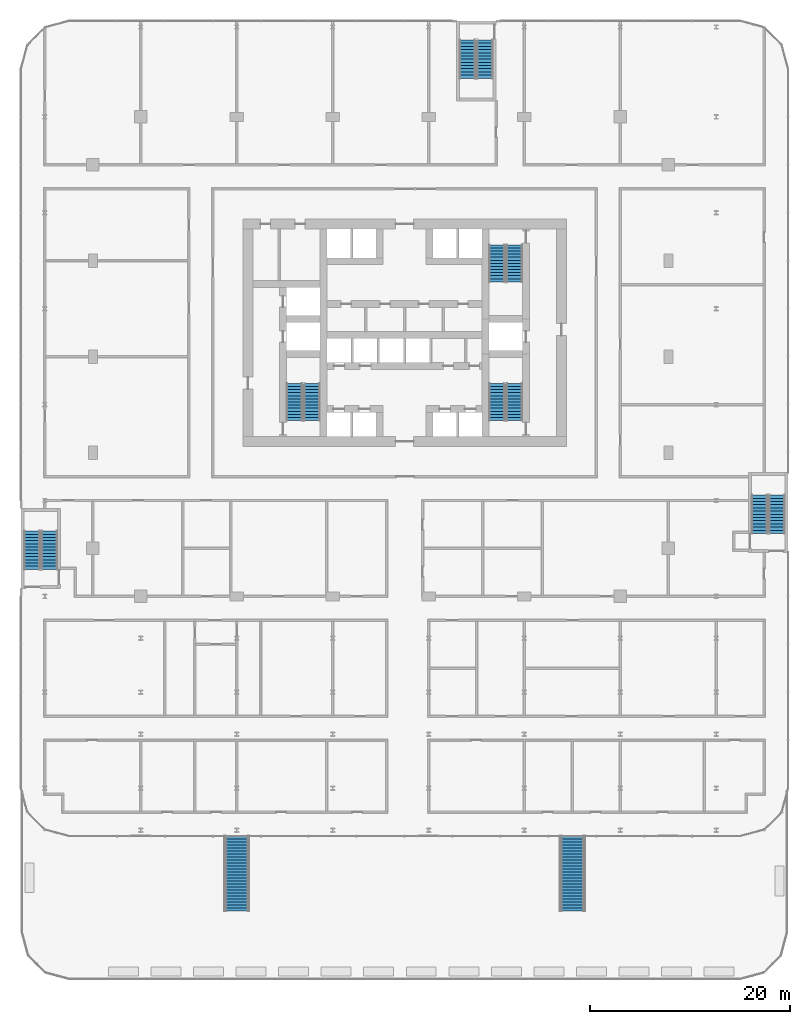
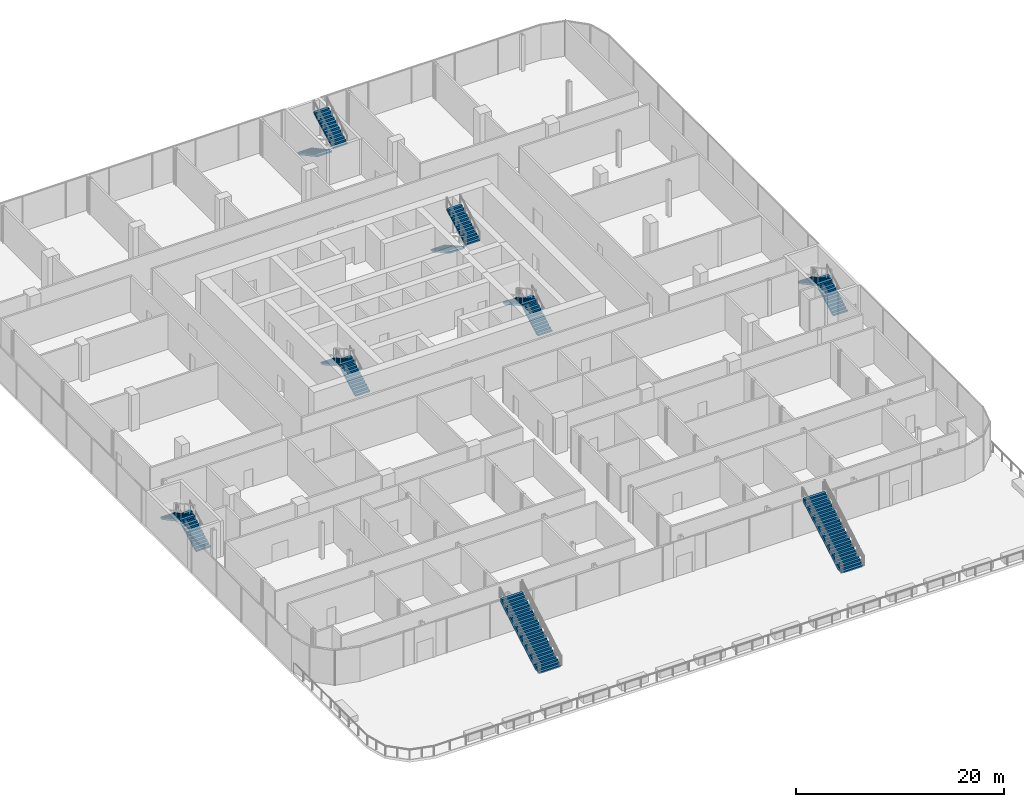
# One storey, part 36 of 43: 14 stair flights, 8 elements without a shape of their own.
"""IFC4 building model written with IfcOpenShell, lengths in metres."""

from ifc_helpers import new_model, si_unit, direction, frame, origin, place, context, subcontext, project, spatial, polyline, outline, extrude, material, type_object, element, aggregate, save


model = new_model("IFC4")

# Units and contexts
model_context = context("Model", 3, precision=1e-05, world=origin(), true_north=direction((0.0, 1.0)))
body_context = subcontext(model_context, "Body", "Model", "MODEL_VIEW")
ifc_project = project(units=[si_unit("LENGTHUNIT", "METRE"), si_unit("AREAUNIT", "SQUARE_METRE"), si_unit("VOLUMEUNIT", "CUBIC_METRE"), si_unit("PLANEANGLEUNIT", "RADIAN"), si_unit("MASSUNIT", "GRAM", prefix="KILO")], contexts=[model_context])

# Site, building, storey
site_placement = place(None, origin())
site = spatial("IfcSite", under=ifc_project, at=site_placement, CompositionType="ELEMENT")
building_placement = place(site_placement, origin())
building = spatial("IfcBuilding", under=site, at=building_placement, Name="Madar Terraces", CompositionType="ELEMENT")
storey_placement = place(building_placement, frame((0.0, 0.0, 10.5)))
storey = spatial("IfcBuildingStorey", under=building, at=storey_placement, Name="L02", CompositionType="ELEMENT", Elevation=10.5)

# Stair, stair flight
ifc_material_1 = material(Name="Concrete C40/50", Category="concrete")
stair_type_1 = type_object("IfcStairType", Name="Cascade stair 2400", PredefinedType="STRAIGHT_RUN_STAIR", material=ifc_material_1)
stair_1_placement = place(storey_placement, origin())
stair_1 = element("IfcStair", 1, at=stair_1_placement, inside=storey, type_object=stair_type_1, Name="Cascade stair L03 1", PredefinedType="STRAIGHT_RUN_STAIR")
ifc_material_2 = material(Name="Concrete C40/50", Category="concrete")
stair_flight_type_1 = type_object("IfcStairFlightType", Name="Stair flight CS1-F2, 2400 wide, 26 risers", PredefinedType="STRAIGHT", material=ifc_material_2)
stair_flight_1_placement = place(storey_placement, frame((14.39990234375, -31.5, 0.0), z_axis=(0.0, 0.0, 1.0), x_axis=(0.0, 1.0, 0.0)))
stair_flight_1 = element("IfcStairFlight", 2, at=stair_flight_1_placement, type_object=stair_flight_type_1, Name="CS1 flight 1", NumberOfRisers=26, NumberOfTreads=25, PredefinedType="STRAIGHT", RiserHeight=0.173076923, TreadLength=0.3, context=body_context, shape_type="SweptSolid", body=[
    extrude(outline(polyline([(0.0, 0.0), (0.0, 0.173095703125), (0.300048828125, 0.173095703125), (0.300048828125, 0.34619140625), (0.60009765625, 0.34619140625), (0.60009765625, 0.519287109375), (0.89990234375, 0.519287109375), (0.89990234375, 0.6923828125), (1.199951171875, 0.6923828125), (1.199951171875, 0.865478515625), (1.5, 0.865478515625), (1.5, 1.03857421875), (1.800048828125, 1.03857421875), (1.800048828125, 1.21142578125), (2.10009765625, 1.21142578125), (2.10009765625, 1.384521484375), (2.39990234375, 1.384521484375), (2.39990234375, 1.5576171875), (2.699951171875, 1.5576171875), (2.699951171875, 1.730712890625), (3.0, 1.730712890625), (3.0, 1.90380859375), (3.300048828125, 1.90380859375), (3.300048828125, 2.076904296875), (3.60009765625, 2.076904296875), (3.60009765625, 2.25), (3.89990234375, 2.25), (3.89990234375, 2.423095703125), (4.199951171875, 2.423095703125), (4.199951171875, 2.59619140625), (4.5, 2.59619140625), (4.5, 2.769287109375), (4.800048828125, 2.769287109375), (4.800048828125, 2.9423828125), (5.10009765625, 2.9423828125), (5.10009765625, 3.115478515625), (5.39990234375, 3.115478515625), (5.39990234375, 3.28857421875), (5.699951171875, 3.28857421875), (5.699951171875, 3.46142578125), (6.0, 3.46142578125), (6.0, 3.634521484375), (6.300048828125, 3.634521484375), (6.300048828125, 3.8076171875), (6.60009765625, 3.8076171875), (6.60009765625, 3.980712890625), (6.89990234375, 3.980712890625), (6.89990234375, 4.15380859375), (7.199951171875, 4.15380859375), (7.199951171875, 4.326904296875), (7.5, 4.326904296875), (7.5, 4.5), (7.5, 3.9228515625), (0.70068359375, 0.0), (0.0, 0.0)])), frame((0.0, 1.199951171875, 0.0), z_axis=(0.0, -1.0, 0.0), x_axis=(1.0, 0.0, 0.0)), (0.0, 0.0, 1.0), 2.39990234375),
])
aggregate(stair_1, [stair_flight_1])

stair_2_placement = place(storey_placement, origin())
stair_2 = element("IfcStair", 3, at=stair_2_placement, inside=storey, type_object=stair_type_1, Name="Cascade stair L03 2", PredefinedType="STRAIGHT_RUN_STAIR")
stair_flight_2_placement = place(storey_placement, frame((48.0, -31.5, 0.0), z_axis=(0.0, 0.0, 1.0), x_axis=(0.0, 1.0, 0.0)))
stair_flight_2 = element("IfcStairFlight", 4, at=stair_flight_2_placement, type_object=stair_flight_type_1, Name="CS1 flight 1", NumberOfRisers=26, NumberOfTreads=25, PredefinedType="STRAIGHT", RiserHeight=0.173076923, TreadLength=0.3, context=body_context, shape_type="SweptSolid", body=[
    extrude(outline(polyline([(0.0, 0.0), (0.0, 0.173095703125), (0.300048828125, 0.173095703125), (0.300048828125, 0.34619140625), (0.60009765625, 0.34619140625), (0.60009765625, 0.519287109375), (0.89990234375, 0.519287109375), (0.89990234375, 0.6923828125), (1.199951171875, 0.6923828125), (1.199951171875, 0.865478515625), (1.5, 0.865478515625), (1.5, 1.03857421875), (1.800048828125, 1.03857421875), (1.800048828125, 1.21142578125), (2.10009765625, 1.21142578125), (2.10009765625, 1.384521484375), (2.39990234375, 1.384521484375), (2.39990234375, 1.5576171875), (2.699951171875, 1.5576171875), (2.699951171875, 1.730712890625), (3.0, 1.730712890625), (3.0, 1.90380859375), (3.300048828125, 1.90380859375), (3.300048828125, 2.076904296875), (3.60009765625, 2.076904296875), (3.60009765625, 2.25), (3.89990234375, 2.25), (3.89990234375, 2.423095703125), (4.199951171875, 2.423095703125), (4.199951171875, 2.59619140625), (4.5, 2.59619140625), (4.5, 2.769287109375), (4.800048828125, 2.769287109375), (4.800048828125, 2.9423828125), (5.10009765625, 2.9423828125), (5.10009765625, 3.115478515625), (5.39990234375, 3.115478515625), (5.39990234375, 3.28857421875), (5.699951171875, 3.28857421875), (5.699951171875, 3.46142578125), (6.0, 3.46142578125), (6.0, 3.634521484375), (6.300048828125, 3.634521484375), (6.300048828125, 3.8076171875), (6.60009765625, 3.8076171875), (6.60009765625, 3.980712890625), (6.89990234375, 3.980712890625), (6.89990234375, 4.15380859375), (7.199951171875, 4.15380859375), (7.199951171875, 4.326904296875), (7.5, 4.326904296875), (7.5, 4.5), (7.5, 3.9228515625), (0.70068359375, 0.0), (0.0, 0.0)])), frame((0.0, 1.199951171875, 0.0), z_axis=(0.0, -1.0, 0.0), x_axis=(1.0, 0.0, 0.0)), (0.0, 0.0, 1.0), 2.39990234375),
])
aggregate(stair_2, [stair_flight_2])

# Stair, stair flights
ifc_material_3 = material(Name="Concrete C50/60", Category="concrete")
stair_type_2 = type_object("IfcStairType", Name="Stair PS1 protected exit", PredefinedType="HALF_TURN_STAIR", material=ifc_material_3)
stair_3_placement = place(storey_placement, origin())
stair_3 = element("IfcStair", 5, at=stair_3_placement, inside=storey, type_object=stair_type_2, Name="L02 Protected Exit Stair PS1", PredefinedType="HALF_TURN_STAIR")
ifc_material_4 = material(Name="Concrete C50/60", Category="concrete")
stair_flight_type_2 = type_object("IfcStairFlightType", Name="Stair flight PS1-F2, 1600 wide, 13 risers", PredefinedType="STRAIGHT", material=ifc_material_4)
stair_flight_3_placement = place(storey_placement, frame((-4.35009765625, 2.699951171875, 0.0), z_axis=(0.0, 0.0, 1.0), x_axis=(0.0, 1.0, 0.0)))
stair_flight_3 = element("IfcStairFlight", 6, at=stair_flight_3_placement, type_object=stair_flight_type_2, Name="PS1 flight 1", NumberOfRisers=13, NumberOfTreads=12, PredefinedType="STRAIGHT", RiserHeight=0.173076923, TreadLength=0.32, context=body_context, shape_type="SweptSolid", body=[
    extrude(outline(polyline([(0.0, 0.0), (0.0, 0.173095703125), (0.320068359375, 0.173095703125), (0.320068359375, 0.34619140625), (0.639892578125, 0.34619140625), (0.639892578125, 0.519287109375), (0.9599609375, 0.519287109375), (0.9599609375, 0.6923828125), (1.280029296875, 0.6923828125), (1.280029296875, 0.865478515625), (1.60009765625, 0.865478515625), (1.60009765625, 1.03857421875), (1.919921875, 1.03857421875), (1.919921875, 1.21142578125), (2.239990234375, 1.21142578125), (2.239990234375, 1.384521484375), (2.56005859375, 1.384521484375), (2.56005859375, 1.5576171875), (2.8798828125, 1.5576171875), (2.8798828125, 1.730712890625), (3.199951171875, 1.730712890625), (3.199951171875, 1.90380859375), (3.52001953125, 1.90380859375), (3.52001953125, 2.076904296875), (3.840087890625, 2.076904296875), (3.840087890625, 2.25), (3.840087890625, 1.906494140625), (0.315185546875, 0.0), (0.0, 0.0)])), frame((0.0, 0.800048828125, 0.0), z_axis=(0.0, -1.0, 0.0), x_axis=(1.0, 0.0, 0.0)), (0.0, 0.0, 1.0), 1.60009765625),
])
stair_flight_4_placement = place(storey_placement, frame((-6.10009765625, 6.5400390625, 2.25), z_axis=(0.0, 0.0, 1.0), x_axis=(0.0, -1.0, 0.0)))
stair_flight_4 = element("IfcStairFlight", 7, at=stair_flight_4_placement, type_object=stair_flight_type_2, Name="PS1 flight 2", NumberOfRisers=13, NumberOfTreads=12, PredefinedType="STRAIGHT", RiserHeight=0.173076923, TreadLength=0.32, context=body_context, shape_type="SweptSolid", body=[
    extrude(outline(polyline([(0.0, 0.0), (0.0, 0.173095703125), (0.320068359375, 0.173095703125), (0.320068359375, 0.34619140625), (0.639892578125, 0.34619140625), (0.639892578125, 0.519287109375), (0.9599609375, 0.519287109375), (0.9599609375, 0.6923828125), (1.280029296875, 0.6923828125), (1.280029296875, 0.865478515625), (1.60009765625, 0.865478515625), (1.60009765625, 1.03857421875), (1.919921875, 1.03857421875), (1.919921875, 1.21142578125), (2.239990234375, 1.21142578125), (2.239990234375, 1.384521484375), (2.56005859375, 1.384521484375), (2.56005859375, 1.5576171875), (2.8798828125, 1.5576171875), (2.8798828125, 1.730712890625), (3.199951171875, 1.730712890625), (3.199951171875, 1.90380859375), (3.52001953125, 1.90380859375), (3.52001953125, 2.076904296875), (3.840087890625, 2.076904296875), (3.840087890625, 2.25), (3.840087890625, 1.906494140625), (0.315185546875, 0.0), (0.0, 0.0)])), frame((0.0, 0.800048828125, 0.0), z_axis=(0.0, -1.0, 0.0), x_axis=(1.0, 0.0, 0.0)), (0.0, 0.0, 1.0), 1.60009765625),
])
aggregate(stair_3, [stair_flight_3, stair_flight_4])

ifc_material_5 = material(Name="Concrete C50/60", Category="concrete")
stair_type_3 = type_object("IfcStairType", Name="Stair PS2 protected exit", PredefinedType="HALF_TURN_STAIR", material=ifc_material_5)
stair_4_placement = place(storey_placement, origin())
stair_4 = element("IfcStair", 8, at=stair_4_placement, inside=storey, type_object=stair_type_3, Name="L02 Protected Exit Stair PS2", PredefinedType="HALF_TURN_STAIR")
ifc_material_6 = material(Name="Concrete C50/60", Category="concrete")
stair_flight_type_3 = type_object("IfcStairFlightType", Name="Stair flight PS2-F2, 1600 wide, 13 risers", PredefinedType="STRAIGHT", material=ifc_material_6)
stair_flight_5_placement = place(storey_placement, frame((37.5, 55.699951171875, 0.0), z_axis=(0.0, 0.0, 1.0), x_axis=(0.0, -1.0, 0.0)))
stair_flight_5 = element("IfcStairFlight", 9, at=stair_flight_5_placement, type_object=stair_flight_type_3, Name="PS2 flight 1", NumberOfRisers=13, NumberOfTreads=12, PredefinedType="STRAIGHT", RiserHeight=0.173076923, TreadLength=0.32, context=body_context, shape_type="SweptSolid", body=[
    extrude(outline(polyline([(0.0, 0.0), (0.0, 0.173095703125), (0.320068359375, 0.173095703125), (0.320068359375, 0.34619140625), (0.639892578125, 0.34619140625), (0.639892578125, 0.519287109375), (0.9599609375, 0.519287109375), (0.9599609375, 0.6923828125), (1.280029296875, 0.6923828125), (1.280029296875, 0.865478515625), (1.60009765625, 0.865478515625), (1.60009765625, 1.03857421875), (1.919921875, 1.03857421875), (1.919921875, 1.21142578125), (2.239990234375, 1.21142578125), (2.239990234375, 1.384521484375), (2.56005859375, 1.384521484375), (2.56005859375, 1.5576171875), (2.8798828125, 1.5576171875), (2.8798828125, 1.730712890625), (3.199951171875, 1.730712890625), (3.199951171875, 1.90380859375), (3.52001953125, 1.90380859375), (3.52001953125, 2.076904296875), (3.840087890625, 2.076904296875), (3.840087890625, 2.25), (3.840087890625, 1.906494140625), (0.315185546875, 0.0), (0.0, 0.0)])), frame((0.0, 0.800048828125, 0.0), z_axis=(0.0, -1.0, 0.0), x_axis=(1.0, 0.0, 0.0)), (0.0, 0.0, 1.0), 1.60009765625),
])
stair_flight_6_placement = place(storey_placement, frame((39.25, 51.860107421875, 2.25), z_axis=(0.0, 0.0, 1.0), x_axis=(0.0, 1.0, 0.0)))
stair_flight_6 = element("IfcStairFlight", 10, at=stair_flight_6_placement, type_object=stair_flight_type_3, Name="PS2 flight 2", NumberOfRisers=13, NumberOfTreads=12, PredefinedType="STRAIGHT", RiserHeight=0.173076923, TreadLength=0.32, context=body_context, shape_type="SweptSolid", body=[
    extrude(outline(polyline([(0.0, 0.0), (0.0, 0.173095703125), (0.320068359375, 0.173095703125), (0.320068359375, 0.34619140625), (0.639892578125, 0.34619140625), (0.639892578125, 0.519287109375), (0.9599609375, 0.519287109375), (0.9599609375, 0.6923828125), (1.280029296875, 0.6923828125), (1.280029296875, 0.865478515625), (1.60009765625, 0.865478515625), (1.60009765625, 1.03857421875), (1.919921875, 1.03857421875), (1.919921875, 1.21142578125), (2.239990234375, 1.21142578125), (2.239990234375, 1.384521484375), (2.56005859375, 1.384521484375), (2.56005859375, 1.5576171875), (2.8798828125, 1.5576171875), (2.8798828125, 1.730712890625), (3.199951171875, 1.730712890625), (3.199951171875, 1.90380859375), (3.52001953125, 1.90380859375), (3.52001953125, 2.076904296875), (3.840087890625, 2.076904296875), (3.840087890625, 2.25), (3.840087890625, 1.906494140625), (0.315185546875, 0.0), (0.0, 0.0)])), frame((0.0, 0.800048828125, 0.0), z_axis=(0.0, -1.0, 0.0), x_axis=(1.0, 0.0, 0.0)), (0.0, 0.0, 1.0), 1.60009765625),
])
aggregate(stair_4, [stair_flight_5, stair_flight_6])

ifc_material_7 = material(Name="Concrete C50/60", Category="concrete")
stair_type_4 = type_object("IfcStairType", Name="Stair PS3 protected exit", PredefinedType="HALF_TURN_STAIR", material=ifc_material_7)
stair_5_placement = place(storey_placement, origin())
stair_5 = element("IfcStair", 11, at=stair_5_placement, inside=storey, type_object=stair_type_4, Name="L02 Protected Exit Stair PS3", PredefinedType="HALF_TURN_STAIR")
ifc_material_8 = material(Name="Concrete C50/60", Category="concrete")
stair_flight_type_4 = type_object("IfcStairFlightType", Name="Stair flight PS3-F2, 1600 wide, 13 risers", PredefinedType="STRAIGHT", material=ifc_material_8)
stair_flight_7_placement = place(storey_placement, frame((68.5, 6.300048828125, 0.0), z_axis=(0.0, 0.0, 1.0), x_axis=(0.0, 1.0, 0.0)))
stair_flight_7 = element("IfcStairFlight", 12, at=stair_flight_7_placement, type_object=stair_flight_type_4, Name="PS3 flight 1", NumberOfRisers=13, NumberOfTreads=12, PredefinedType="STRAIGHT", RiserHeight=0.173076923, TreadLength=0.32, context=body_context, shape_type="SweptSolid", body=[
    extrude(outline(polyline([(0.0, 0.0), (0.0, 0.173095703125), (0.320068359375, 0.173095703125), (0.320068359375, 0.34619140625), (0.639892578125, 0.34619140625), (0.639892578125, 0.519287109375), (0.9599609375, 0.519287109375), (0.9599609375, 0.6923828125), (1.280029296875, 0.6923828125), (1.280029296875, 0.865478515625), (1.60009765625, 0.865478515625), (1.60009765625, 1.03857421875), (1.919921875, 1.03857421875), (1.919921875, 1.21142578125), (2.239990234375, 1.21142578125), (2.239990234375, 1.384521484375), (2.56005859375, 1.384521484375), (2.56005859375, 1.5576171875), (2.8798828125, 1.5576171875), (2.8798828125, 1.730712890625), (3.199951171875, 1.730712890625), (3.199951171875, 1.90380859375), (3.52001953125, 1.90380859375), (3.52001953125, 2.076904296875), (3.840087890625, 2.076904296875), (3.840087890625, 2.25), (3.840087890625, 1.906494140625), (0.315185546875, 0.0), (0.0, 0.0)])), frame((0.0, 0.800048828125, 0.0), z_axis=(0.0, -1.0, 0.0), x_axis=(1.0, 0.0, 0.0)), (0.0, 0.0, 1.0), 1.60009765625),
])
stair_flight_8_placement = place(storey_placement, frame((66.75, 10.139892578125, 2.25), z_axis=(0.0, 0.0, 1.0), x_axis=(0.0, -1.0, 0.0)))
stair_flight_8 = element("IfcStairFlight", 13, at=stair_flight_8_placement, type_object=stair_flight_type_4, Name="PS3 flight 2", NumberOfRisers=13, NumberOfTreads=12, PredefinedType="STRAIGHT", RiserHeight=0.173076923, TreadLength=0.32, context=body_context, shape_type="SweptSolid", body=[
    extrude(outline(polyline([(0.0, 0.0), (0.0, 0.173095703125), (0.320068359375, 0.173095703125), (0.320068359375, 0.34619140625), (0.639892578125, 0.34619140625), (0.639892578125, 0.519287109375), (0.9599609375, 0.519287109375), (0.9599609375, 0.6923828125), (1.280029296875, 0.6923828125), (1.280029296875, 0.865478515625), (1.60009765625, 0.865478515625), (1.60009765625, 1.03857421875), (1.919921875, 1.03857421875), (1.919921875, 1.21142578125), (2.239990234375, 1.21142578125), (2.239990234375, 1.384521484375), (2.56005859375, 1.384521484375), (2.56005859375, 1.5576171875), (2.8798828125, 1.5576171875), (2.8798828125, 1.730712890625), (3.199951171875, 1.730712890625), (3.199951171875, 1.90380859375), (3.52001953125, 1.90380859375), (3.52001953125, 2.076904296875), (3.840087890625, 2.076904296875), (3.840087890625, 2.25), (3.840087890625, 1.906494140625), (0.315185546875, 0.0), (0.0, 0.0)])), frame((0.0, 0.800048828125, 0.0), z_axis=(0.0, -1.0, 0.0), x_axis=(1.0, 0.0, 0.0)), (0.0, 0.0, 1.0), 1.60009765625),
])
aggregate(stair_5, [stair_flight_7, stair_flight_8])

ifc_material_9 = material(Name="Concrete C50/60", Category="concrete")
stair_type_5 = type_object("IfcStairType", Name="Stair ST1 protected exit", PredefinedType="HALF_TURN_STAIR", material=ifc_material_9)
stair_6_placement = place(storey_placement, origin())
stair_6 = element("IfcStair", 14, at=stair_6_placement, inside=storey, type_object=stair_type_5, Name="L02 Protected Exit Stair ST1", PredefinedType="HALF_TURN_STAIR")
ifc_material_10 = material(Name="Concrete C50/60", Category="concrete")
stair_flight_type_5 = type_object("IfcStairFlightType", Name="Stair flight ST1-F2, 1600 wide, 13 risers", PredefinedType="STRAIGHT", material=ifc_material_10)
stair_flight_9_placement = place(storey_placement, frame((21.949951171875, 17.60009765625, 0.0), z_axis=(0.0, 0.0, 1.0), x_axis=(0.0, 1.0, 0.0)))
stair_flight_9 = element("IfcStairFlight", 15, at=stair_flight_9_placement, type_object=stair_flight_type_5, Name="ST1 flight 1", NumberOfRisers=13, NumberOfTreads=12, PredefinedType="STRAIGHT", RiserHeight=0.173076923, TreadLength=0.31, context=body_context, shape_type="SweptSolid", body=[
    extrude(outline(polyline([(0.0, 0.0), (0.0, 0.173095703125), (0.31005859375, 0.173095703125), (0.31005859375, 0.34619140625), (0.6201171875, 0.34619140625), (0.6201171875, 0.519287109375), (0.929931640625, 0.519287109375), (0.929931640625, 0.6923828125), (1.239990234375, 0.6923828125), (1.239990234375, 0.865478515625), (1.550048828125, 0.865478515625), (1.550048828125, 1.03857421875), (1.860107421875, 1.03857421875), (1.860107421875, 1.21142578125), (2.169921875, 1.21142578125), (2.169921875, 1.384521484375), (2.47998046875, 1.384521484375), (2.47998046875, 1.5576171875), (2.7900390625, 1.5576171875), (2.7900390625, 1.730712890625), (3.10009765625, 1.730712890625), (3.10009765625, 1.90380859375), (3.409912109375, 1.90380859375), (3.409912109375, 2.076904296875), (3.719970703125, 2.076904296875), (3.719970703125, 2.25), (3.719970703125, 1.9052734375), (0.3076171875, 0.0), (0.0, 0.0)])), frame((0.0, 0.800048828125, 0.0), z_axis=(0.0, -1.0, 0.0), x_axis=(1.0, 0.0, 0.0)), (0.0, 0.0, 1.0), 1.60009765625),
])
stair_flight_10_placement = place(storey_placement, frame((20.199951171875, 21.320068359375, 2.25), z_axis=(0.0, 0.0, 1.0), x_axis=(0.0, -1.0, 0.0)))
stair_flight_10 = element("IfcStairFlight", 16, at=stair_flight_10_placement, type_object=stair_flight_type_5, Name="ST1 flight 2", NumberOfRisers=13, NumberOfTreads=12, PredefinedType="STRAIGHT", RiserHeight=0.173076923, TreadLength=0.31, context=body_context, shape_type="SweptSolid", body=[
    extrude(outline(polyline([(0.0, 0.0), (0.0, 0.173095703125), (0.31005859375, 0.173095703125), (0.31005859375, 0.34619140625), (0.6201171875, 0.34619140625), (0.6201171875, 0.519287109375), (0.929931640625, 0.519287109375), (0.929931640625, 0.6923828125), (1.239990234375, 0.6923828125), (1.239990234375, 0.865478515625), (1.550048828125, 0.865478515625), (1.550048828125, 1.03857421875), (1.860107421875, 1.03857421875), (1.860107421875, 1.21142578125), (2.169921875, 1.21142578125), (2.169921875, 1.384521484375), (2.47998046875, 1.384521484375), (2.47998046875, 1.5576171875), (2.7900390625, 1.5576171875), (2.7900390625, 1.730712890625), (3.10009765625, 1.730712890625), (3.10009765625, 1.90380859375), (3.409912109375, 1.90380859375), (3.409912109375, 2.076904296875), (3.719970703125, 2.076904296875), (3.719970703125, 2.25), (3.719970703125, 1.9052734375), (0.3076171875, 0.0), (0.0, 0.0)])), frame((0.0, 0.800048828125, 0.0), z_axis=(0.0, -1.0, 0.0), x_axis=(1.0, 0.0, 0.0)), (0.0, 0.0, 1.0), 1.60009765625),
])
aggregate(stair_6, [stair_flight_9, stair_flight_10])

ifc_material_11 = material(Name="Concrete C50/60", Category="concrete")
stair_type_6 = type_object("IfcStairType", Name="Stair ST2 protected exit", PredefinedType="HALF_TURN_STAIR", material=ifc_material_11)
stair_7_placement = place(storey_placement, origin())
stair_7 = element("IfcStair", 17, at=stair_7_placement, inside=storey, type_object=stair_type_6, Name="L02 Protected Exit Stair ST2", PredefinedType="HALF_TURN_STAIR")
ifc_material_12 = material(Name="Concrete C50/60", Category="concrete")
stair_flight_type_6 = type_object("IfcStairFlightType", Name="Stair flight ST2-F2, 1600 wide, 13 risers", PredefinedType="STRAIGHT", material=ifc_material_12)
stair_flight_11_placement = place(storey_placement, frame((40.449951171875, 35.199951171875, 0.0), z_axis=(0.0, 0.0, 1.0), x_axis=(0.0, -1.0, 0.0)))
stair_flight_11 = element("IfcStairFlight", 18, at=stair_flight_11_placement, type_object=stair_flight_type_6, Name="ST2 flight 1", NumberOfRisers=13, NumberOfTreads=12, PredefinedType="STRAIGHT", RiserHeight=0.173076923, TreadLength=0.31, context=body_context, shape_type="SweptSolid", body=[
    extrude(outline(polyline([(0.0, 0.0), (0.0, 0.173095703125), (0.31005859375, 0.173095703125), (0.31005859375, 0.34619140625), (0.6201171875, 0.34619140625), (0.6201171875, 0.519287109375), (0.929931640625, 0.519287109375), (0.929931640625, 0.6923828125), (1.239990234375, 0.6923828125), (1.239990234375, 0.865478515625), (1.550048828125, 0.865478515625), (1.550048828125, 1.03857421875), (1.860107421875, 1.03857421875), (1.860107421875, 1.21142578125), (2.169921875, 1.21142578125), (2.169921875, 1.384521484375), (2.47998046875, 1.384521484375), (2.47998046875, 1.5576171875), (2.7900390625, 1.5576171875), (2.7900390625, 1.730712890625), (3.10009765625, 1.730712890625), (3.10009765625, 1.90380859375), (3.409912109375, 1.90380859375), (3.409912109375, 2.076904296875), (3.719970703125, 2.076904296875), (3.719970703125, 2.25), (3.719970703125, 1.9052734375), (0.3076171875, 0.0), (0.0, 0.0)])), frame((0.0, 0.800048828125, 0.0), z_axis=(0.0, -1.0, 0.0), x_axis=(1.0, 0.0, 0.0)), (0.0, 0.0, 1.0), 1.60009765625),
])
stair_flight_12_placement = place(storey_placement, frame((42.199951171875, 31.47998046875, 2.25), z_axis=(0.0, 0.0, 1.0), x_axis=(0.0, 1.0, 0.0)))
stair_flight_12 = element("IfcStairFlight", 19, at=stair_flight_12_placement, type_object=stair_flight_type_6, Name="ST2 flight 2", NumberOfRisers=13, NumberOfTreads=12, PredefinedType="STRAIGHT", RiserHeight=0.173076923, TreadLength=0.31, context=body_context, shape_type="SweptSolid", body=[
    extrude(outline(polyline([(0.0, 0.0), (0.0, 0.173095703125), (0.31005859375, 0.173095703125), (0.31005859375, 0.34619140625), (0.6201171875, 0.34619140625), (0.6201171875, 0.519287109375), (0.929931640625, 0.519287109375), (0.929931640625, 0.6923828125), (1.239990234375, 0.6923828125), (1.239990234375, 0.865478515625), (1.550048828125, 0.865478515625), (1.550048828125, 1.03857421875), (1.860107421875, 1.03857421875), (1.860107421875, 1.21142578125), (2.169921875, 1.21142578125), (2.169921875, 1.384521484375), (2.47998046875, 1.384521484375), (2.47998046875, 1.5576171875), (2.7900390625, 1.5576171875), (2.7900390625, 1.730712890625), (3.10009765625, 1.730712890625), (3.10009765625, 1.90380859375), (3.409912109375, 1.90380859375), (3.409912109375, 2.076904296875), (3.719970703125, 2.076904296875), (3.719970703125, 2.25), (3.719970703125, 1.9052734375), (0.3076171875, 0.0), (0.0, 0.0)])), frame((0.0, 0.800048828125, 0.0), z_axis=(0.0, -1.0, 0.0), x_axis=(1.0, 0.0, 0.0)), (0.0, 0.0, 1.0), 1.60009765625),
])
aggregate(stair_7, [stair_flight_11, stair_flight_12])

ifc_material_13 = material(Name="Concrete C50/60", Category="concrete")
stair_type_7 = type_object("IfcStairType", Name="Stair ST3 protected exit", PredefinedType="HALF_TURN_STAIR", material=ifc_material_13)
stair_8_placement = place(storey_placement, origin())
stair_8 = element("IfcStair", 20, at=stair_8_placement, inside=storey, type_object=stair_type_7, Name="L02 Protected Exit Stair ST3", PredefinedType="HALF_TURN_STAIR")
ifc_material_14 = material(Name="Concrete C50/60", Category="concrete")
stair_flight_type_7 = type_object("IfcStairFlightType", Name="Stair flight ST3-F2, 1600 wide, 13 risers", PredefinedType="STRAIGHT", material=ifc_material_14)
stair_flight_13_placement = place(storey_placement, frame((42.199951171875, 17.60009765625, 0.0), z_axis=(0.0, 0.0, 1.0), x_axis=(0.0, 1.0, 0.0)))
stair_flight_13 = element("IfcStairFlight", 21, at=stair_flight_13_placement, type_object=stair_flight_type_7, Name="ST3 flight 1", NumberOfRisers=13, NumberOfTreads=12, PredefinedType="STRAIGHT", RiserHeight=0.173076923, TreadLength=0.31, context=body_context, shape_type="SweptSolid", body=[
    extrude(outline(polyline([(0.0, 0.0), (0.0, 0.173095703125), (0.31005859375, 0.173095703125), (0.31005859375, 0.34619140625), (0.6201171875, 0.34619140625), (0.6201171875, 0.519287109375), (0.929931640625, 0.519287109375), (0.929931640625, 0.6923828125), (1.239990234375, 0.6923828125), (1.239990234375, 0.865478515625), (1.550048828125, 0.865478515625), (1.550048828125, 1.03857421875), (1.860107421875, 1.03857421875), (1.860107421875, 1.21142578125), (2.169921875, 1.21142578125), (2.169921875, 1.384521484375), (2.47998046875, 1.384521484375), (2.47998046875, 1.5576171875), (2.7900390625, 1.5576171875), (2.7900390625, 1.730712890625), (3.10009765625, 1.730712890625), (3.10009765625, 1.90380859375), (3.409912109375, 1.90380859375), (3.409912109375, 2.076904296875), (3.719970703125, 2.076904296875), (3.719970703125, 2.25), (3.719970703125, 1.9052734375), (0.3076171875, 0.0), (0.0, 0.0)])), frame((0.0, 0.800048828125, 0.0), z_axis=(0.0, -1.0, 0.0), x_axis=(1.0, 0.0, 0.0)), (0.0, 0.0, 1.0), 1.60009765625),
])
stair_flight_14_placement = place(storey_placement, frame((40.449951171875, 21.320068359375, 2.25), z_axis=(0.0, 0.0, 1.0), x_axis=(0.0, -1.0, 0.0)))
stair_flight_14 = element("IfcStairFlight", 22, at=stair_flight_14_placement, type_object=stair_flight_type_7, Name="ST3 flight 2", NumberOfRisers=13, NumberOfTreads=12, PredefinedType="STRAIGHT", RiserHeight=0.173076923, TreadLength=0.31, context=body_context, shape_type="SweptSolid", body=[
    extrude(outline(polyline([(0.0, 0.0), (0.0, 0.173095703125), (0.31005859375, 0.173095703125), (0.31005859375, 0.34619140625), (0.6201171875, 0.34619140625), (0.6201171875, 0.519287109375), (0.929931640625, 0.519287109375), (0.929931640625, 0.6923828125), (1.239990234375, 0.6923828125), (1.239990234375, 0.865478515625), (1.550048828125, 0.865478515625), (1.550048828125, 1.03857421875), (1.860107421875, 1.03857421875), (1.860107421875, 1.21142578125), (2.169921875, 1.21142578125), (2.169921875, 1.384521484375), (2.47998046875, 1.384521484375), (2.47998046875, 1.5576171875), (2.7900390625, 1.5576171875), (2.7900390625, 1.730712890625), (3.10009765625, 1.730712890625), (3.10009765625, 1.90380859375), (3.409912109375, 1.90380859375), (3.409912109375, 2.076904296875), (3.719970703125, 2.076904296875), (3.719970703125, 2.25), (3.719970703125, 1.9052734375), (0.3076171875, 0.0), (0.0, 0.0)])), frame((0.0, 0.800048828125, 0.0), z_axis=(0.0, -1.0, 0.0), x_axis=(1.0, 0.0, 0.0)), (0.0, 0.0, 1.0), 1.60009765625),
])
aggregate(stair_8, [stair_flight_13, stair_flight_14])

save(model, "model.ifc")
